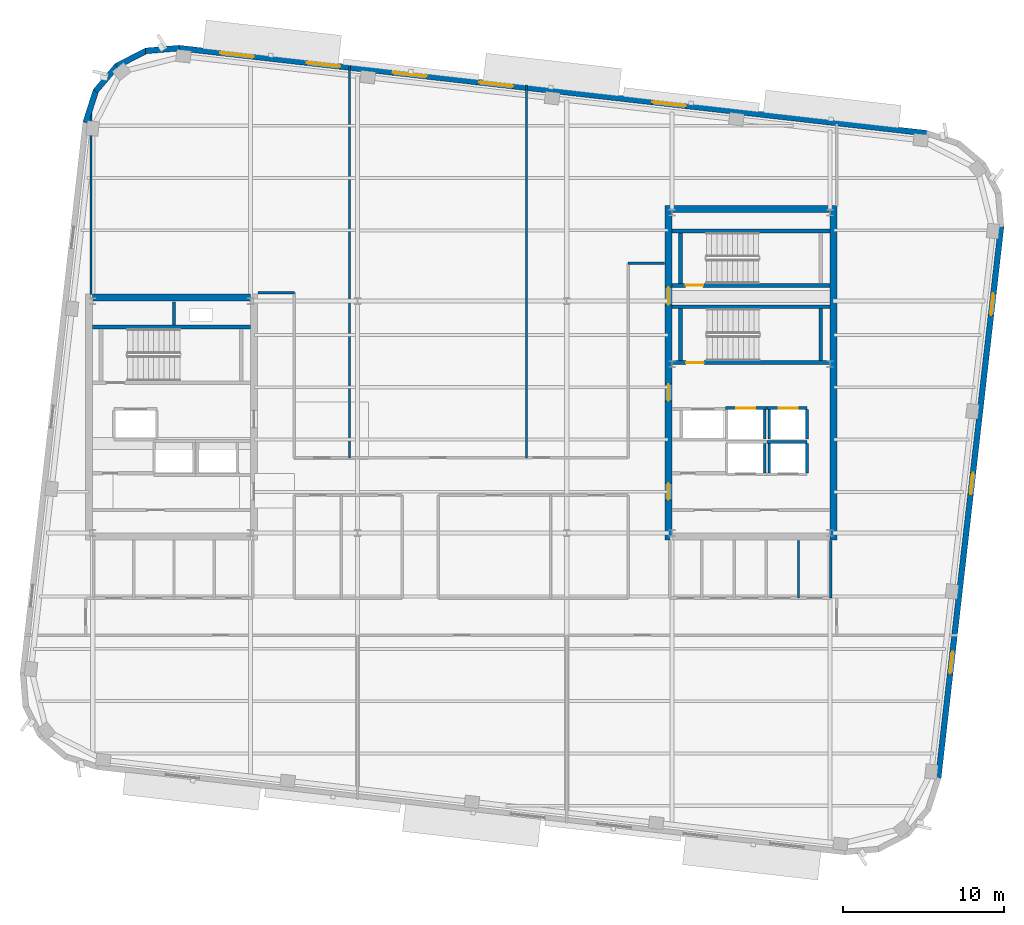
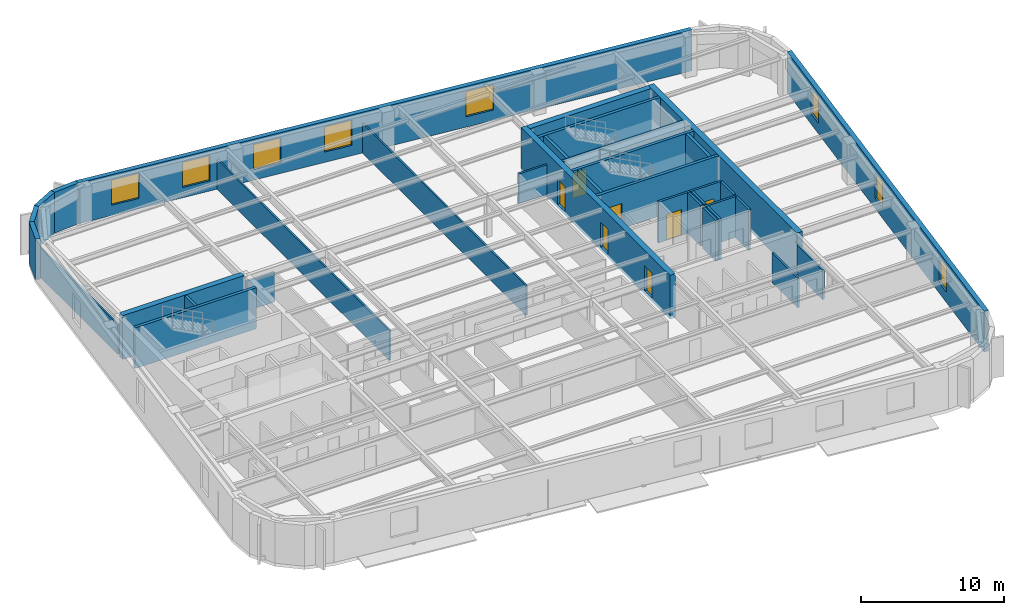
# One storey, part 8 of 14: 35 walls, 8 windows, 7 doors, 15 openings.
"""IFC4 building model written with IfcOpenShell, lengths in metres."""

from ifc_helpers import new_model, si_unit, direction, frame, frame_2d, origin, place, context, subcontext, project, spatial, rectangle, extrude, material, layer, layer_set, type_object, element, fill, save


model = new_model("IFC4")

# Units and contexts
model_context = context("Model", 3, precision=1e-05, world=origin(), true_north=direction((0.0, 1.0)))
body_context = subcontext(model_context, "Body", "Model", "MODEL_VIEW")
ifc_project = project(units=[si_unit("LENGTHUNIT", "METRE"), si_unit("AREAUNIT", "SQUARE_METRE"), si_unit("VOLUMEUNIT", "CUBIC_METRE"), si_unit("PLANEANGLEUNIT", "RADIAN"), si_unit("MASSUNIT", "GRAM", prefix="KILO")], contexts=[model_context])

# Site, building, storey
site_placement = place(None, origin())
site = spatial("IfcSite", under=ifc_project, at=site_placement, CompositionType="ELEMENT")
building_placement = place(site_placement, origin())
building = spatial("IfcBuilding", under=site, at=building_placement, Name="Kolvaren Arena Tower", CompositionType="ELEMENT")
storey_placement = place(building_placement, frame((0.0, 0.0, 258.449951171875)))
storey = spatial("IfcBuildingStorey", under=building, at=storey_placement, Name="L63", CompositionType="ELEMENT", Elevation=258.449951171875)

# Walls
ifc_material_1 = material(Name="Gypsum board acoustic assembly", Category="gypsum")
ifc_layer_1 = layer(ifc_material_1, 0.159912109375)
ifc_layer_set_1 = layer_set([ifc_layer_1], Name="Gypsum board acoustic assembly")
wall_type_1 = type_object("IfcWallType", Name="CORR-160", PredefinedType="PARTITIONING", material=ifc_layer_set_1)
for number, where, z_axis, x_axis, name in (
    (1, (24.820068359375, 34.3798828125, 0.0), (0.0, 0.0, 1.0), (1.0, 0.0, 0.0), "Interior Partition Wall (L63)"),
    (2, (47.820068359375, 36.199951171875, 0.0), (0.0, 0.0, 1.0), (1.0, 0.0, 0.0), "Interior Partition Wall (L63)"),
):
    element("IfcWall", number, at=place(storey_placement, frame(where, z_axis=z_axis, x_axis=x_axis)), inside=storey, type_object=wall_type_1, Name=name, PredefinedType="PARTITIONING", context=body_context, shape_type="SweptSolid", body=[
        extrude(rectangle(XDim=2.260009765625, YDim=0.159912109375, at=frame_2d((1.1298828125, 0.0))), origin(), (0.0, 0.0, 1.0), 2.5400390625),
    ])
ifc_material_2 = material(Name="Concrete 55 MPa", Category="concrete")
ifc_layer_2 = layer(ifc_material_2, 0.449951171875)
ifc_layer_set_2 = layer_set([ifc_layer_2], Name="Concrete 55 MPa")
wall_type_2 = type_object("IfcWallType", Name="CWALL-450", PredefinedType="SHEAR", material=ifc_layer_set_2)
wall_1_placement = place(storey_placement, frame((14.550048828125, 34.074951171875, -0.27001953125), z_axis=(0.0, 0.0, 1.0), x_axis=(1.0, 0.0, 0.0)))
element("IfcWall", 3, at=wall_1_placement, inside=storey, type_object=wall_type_2, Name="Core Shear Wall WC-NORTH (L63)", PredefinedType="SHEAR", context=body_context, shape_type="SweptSolid", body=[
    extrude(rectangle(XDim=9.800048828125, YDim=0.449951171875, at=frame_2d((4.89990234375, 0.0))), origin(), (0.0, 0.0, 1.0), 3.75),
])

# Wall, openings, doors
wall_2_placement = place(storey_placement, frame((50.324951171875, 19.0, -0.27001953125), z_axis=(0.0, 0.0, 1.0), x_axis=(0.0, 1.0, 0.0)))
wall_2 = element("IfcWall", 4, at=wall_2_placement, inside=storey, type_object=wall_type_2, Name="Core Shear Wall EC-WEST (L63)", PredefinedType="SHEAR", context=body_context, shape_type="SweptSolid", body=[
    extrude(rectangle(XDim=20.800048828125, YDim=0.449951171875, at=frame_2d((10.39990234375, 0.0))), origin(), (0.0, 0.0, 1.0), 3.75),
])
opening_1_placement = place(wall_2_placement, frame((2.5, 0.0, 0.27001953125)))
opening_1 = element("IfcOpeningElement", 5, at=opening_1_placement, cuts=wall_2, Name="Opening D04", PredefinedType="OPENING", context=body_context, shape_type="SweptSolid", body=[
    extrude(rectangle(XDim=1.050048828125, YDim=2.14990234375, at=frame_2d((0.52490234375, 1.074951171875))), frame((0.0, 0.23486328125, 0.0), z_axis=(0.0, -1.0, 0.0), x_axis=(1.0, 0.0, 0.0)), (0.0, 0.0, 1.0), 0.469970703125),
])
opening_2_placement = place(wall_2_placement, frame((8.64990234375, 0.0, 0.27001953125)))
opening_2 = element("IfcOpeningElement", 6, at=opening_2_placement, cuts=wall_2, Name="Opening D04", PredefinedType="OPENING", context=body_context, shape_type="SweptSolid", body=[
    extrude(rectangle(XDim=1.050048828125, YDim=2.14990234375, at=frame_2d((0.52490234375, 1.074951171875))), frame((0.0, 0.23486328125, 0.0), z_axis=(0.0, -1.0, 0.0), x_axis=(1.0, 0.0, 0.0)), (0.0, 0.0, 1.0), 0.469970703125),
])
opening_3_placement = place(wall_2_placement, frame((14.6201171875, 0.0, 0.27001953125)))
opening_3 = element("IfcOpeningElement", 7, at=opening_3_placement, cuts=wall_2, Name="Opening D03", PredefinedType="OPENING", context=body_context, shape_type="SweptSolid", body=[
    extrude(rectangle(XDim=1.10009765625, YDim=2.14990234375, at=frame_2d((0.550048828125, 1.074951171875))), frame((0.0, 0.23486328125, 0.0), z_axis=(0.0, -1.0, 0.0), x_axis=(1.0, 0.0, 0.0)), (0.0, 0.0, 1.0), 0.469970703125),
])
ifc_material_3 = material(Name="Fire-rated steel lobby door", Category="steel")
door_type_1 = type_object("IfcDoorType", Name="DOOR-FF-105", OperationType="NOTDEFINED", PredefinedType="DOOR", material=ifc_material_3)
door_1_placement = place(opening_1_placement, origin())
door_1 = element("IfcDoor", 8, at=door_1_placement, inside=storey, type_object=door_type_1, Name="East Lift Lobby Fire Door (L63)", OperationType="SINGLE_SWING_RIGHT", OverallHeight=2.14990234375, OverallWidth=1.050048828125, PredefinedType="DOOR", context=body_context, shape_type="SweptSolid", body=[
    extrude(rectangle(XDim=1.050048828125, YDim=2.14990234375, at=frame_2d((0.52490234375, 1.074951171875))), frame((0.0, 0.02490234375, 0.0), z_axis=(0.0, -1.0, 0.0), x_axis=(1.0, 0.0, 0.0)), (0.0, 0.0, 1.0), 0.050048828125),
])
fill(opening_1, door_1)
door_2_placement = place(opening_2_placement, origin())
door_2 = element("IfcDoor", 9, at=door_2_placement, inside=storey, type_object=door_type_1, Name="East Firefighter Vestibule Door (L63)", OperationType="SINGLE_SWING_LEFT", OverallHeight=2.14990234375, OverallWidth=1.050048828125, PredefinedType="DOOR", context=body_context, shape_type="SweptSolid", body=[
    extrude(rectangle(XDim=1.050048828125, YDim=2.14990234375, at=frame_2d((0.52490234375, 1.074951171875))), frame((0.0, 0.02490234375, 0.0), z_axis=(0.0, -1.0, 0.0), x_axis=(1.0, 0.0, 0.0)), (0.0, 0.0, 1.0), 0.050048828125),
])
fill(opening_2, door_2)
ifc_material_4 = material(Name="Fire-rated steel exit stair door", Category="steel")
door_type_2 = type_object("IfcDoorType", Name="DOOR-ST-110", OperationType="NOTDEFINED", PredefinedType="DOOR", material=ifc_material_4)
door_3_placement = place(opening_3_placement, origin())
door_3 = element("IfcDoor", 10, at=door_3_placement, inside=storey, type_object=door_type_2, Name="Stair ST-E2 Vestibule Fire Door (L63)", OperationType="SINGLE_SWING_LEFT", OverallHeight=2.14990234375, OverallWidth=1.10009765625, PredefinedType="DOOR", context=body_context, shape_type="SweptSolid", body=[
    extrude(rectangle(XDim=1.10009765625, YDim=2.14990234375, at=frame_2d((0.550048828125, 1.074951171875))), frame((0.0, 0.02490234375, 0.0), z_axis=(0.0, -1.0, 0.0), x_axis=(1.0, 0.0, 0.0)), (0.0, 0.0, 1.0), 0.050048828125),
])
fill(opening_3, door_3)

# Walls
wall_3_placement = place(storey_placement, frame((60.574951171875, 19.0, -0.27001953125), z_axis=(0.0, 0.0, 1.0), x_axis=(0.0, 1.0, 0.0)))
element("IfcWall", 11, at=wall_3_placement, inside=storey, type_object=wall_type_2, Name="Core Shear Wall EC-EAST (L63)", PredefinedType="SHEAR", context=body_context, shape_type="SweptSolid", body=[
    extrude(rectangle(XDim=20.800048828125, YDim=0.449951171875, at=frame_2d((10.39990234375, 0.0))), origin(), (0.0, 0.0, 1.0), 3.75),
])
wall_4_placement = place(storey_placement, frame((50.550048828125, 39.574951171875, -0.27001953125), z_axis=(0.0, 0.0, 1.0), x_axis=(1.0, 0.0, 0.0)))
element("IfcWall", 12, at=wall_4_placement, inside=storey, type_object=wall_type_2, Name="Core Shear Wall EC-NORTH (L63)", PredefinedType="SHEAR", context=body_context, shape_type="SweptSolid", body=[
    extrude(rectangle(XDim=9.800048828125, YDim=0.449951171875, at=frame_2d((4.89990234375, 0.0))), origin(), (0.0, 0.0, 1.0), 3.75),
])

# Wall, openings, windows
ifc_material_5 = material(Name="Precast concrete C50/60", Category="concrete")
ifc_layer_3 = layer(ifc_material_5, 0.360107421875)
ifc_layer_set_3 = layer_set([ifc_layer_3], Name="Precast concrete C50/60")
wall_type_3 = type_object("IfcWallType", Name="EXT-PIER2", PredefinedType="SOLIDWALL", material=ifc_layer_set_3)
wall_5_placement = place(storey_placement, frame((70.98876953125, 38.499267578125, 0.0), z_axis=(0.0, 0.0, 1.0), x_axis=(-0.113203107947, -0.993571867733, 0.0)))
wall_5 = element("IfcWall", 13, at=wall_5_placement, inside=storey, type_object=wall_type_3, Name="Exterior Precast Masonry-Frame Wall (L63)", PredefinedType="SOLIDWALL", context=body_context, shape_type="SweptSolid", body=[
    extrude(rectangle(XDim=34.5, YDim=0.360107421875, at=frame_2d((17.25, 0.0))), origin(), (0.0, 0.0, 1.0), 3.47998046875),
])
opening_4_placement = place(wall_5_placement, frame((4.199951171875, 0.0, 0.8798828125)))
opening_4 = element("IfcOpeningElement", 14, at=opening_4_placement, cuts=wall_5, Name="Opening W04", PredefinedType="OPENING", context=body_context, shape_type="SweptSolid", body=[
    extrude(rectangle(XDim=1.35009765625, YDim=2.199951171875, at=frame_2d((0.675048828125, 1.10009765625))), frame((0.0, 0.18994140625, 0.0), z_axis=(0.0, -1.0, 0.0), x_axis=(1.0, 0.0, 0.0)), (0.0, 0.0, 1.0), 0.380126953125),
])
opening_5_placement = place(wall_5_placement, frame((15.39990234375, 0.0, 0.8798828125)))
opening_5 = element("IfcOpeningElement", 15, at=opening_5_placement, cuts=wall_5, Name="Opening W04", PredefinedType="OPENING", context=body_context, shape_type="SweptSolid", body=[
    extrude(rectangle(XDim=1.35009765625, YDim=2.199951171875, at=frame_2d((0.675048828125, 1.10009765625))), frame((0.0, 0.18994140625, 0.0), z_axis=(0.0, -1.0, 0.0), x_axis=(1.0, 0.0, 0.0)), (0.0, 0.0, 1.0), 0.380126953125),
])
opening_6_placement = place(wall_5_placement, frame((26.60009765625, 0.0, 0.8798828125)))
opening_6 = element("IfcOpeningElement", 16, at=opening_6_placement, cuts=wall_5, Name="Opening W04", PredefinedType="OPENING", context=body_context, shape_type="SweptSolid", body=[
    extrude(rectangle(XDim=1.35009765625, YDim=2.199951171875, at=frame_2d((0.675048828125, 1.10009765625))), frame((0.0, 0.18994140625, 0.0), z_axis=(0.0, -1.0, 0.0), x_axis=(1.0, 0.0, 0.0)), (0.0, 0.0, 1.0), 0.380126953125),
])
ifc_material_6 = material(Name="Triple-glazed curved-facet corner window", Category="glass")
window_type_1 = type_object("IfcWindowType", Name="WIN-CRN-A", PartitioningType="SINGLE_PANEL", PredefinedType="WINDOW", material=ifc_material_6)
window_1_placement = place(opening_4_placement, origin())
window_1 = element("IfcWindow", 17, at=window_1_placement, inside=storey, type_object=window_type_1, Name="End-Wall Punched Window (L63)", OverallHeight=2.199951171875, OverallWidth=1.35009765625, PartitioningType="SINGLE_PANEL", PredefinedType="WINDOW", context=body_context, shape_type="SweptSolid", body=[
    extrude(rectangle(XDim=1.35009765625, YDim=2.199951171875, at=frame_2d((0.675048828125, 1.10009765625))), frame((0.0, 0.030029296875, 0.0), z_axis=(0.0, -1.0, 0.0), x_axis=(1.0, 0.0, 0.0)), (0.0, 0.0, 1.0), 0.06005859375),
])
fill(opening_4, window_1)
window_2_placement = place(opening_5_placement, origin())
window_2 = element("IfcWindow", 18, at=window_2_placement, inside=storey, type_object=window_type_1, Name="End-Wall Punched Window (L63)", OverallHeight=2.199951171875, OverallWidth=1.35009765625, PartitioningType="SINGLE_PANEL", PredefinedType="WINDOW", context=body_context, shape_type="SweptSolid", body=[
    extrude(rectangle(XDim=1.35009765625, YDim=2.199951171875, at=frame_2d((0.675048828125, 1.10009765625))), frame((0.0, 0.030029296875, 0.0), z_axis=(0.0, -1.0, 0.0), x_axis=(1.0, 0.0, 0.0)), (0.0, 0.0, 1.0), 0.06005859375),
])
fill(opening_5, window_2)
window_3_placement = place(opening_6_placement, origin())
window_3 = element("IfcWindow", 19, at=window_3_placement, inside=storey, type_object=window_type_1, Name="End-Wall Punched Window (L63)", OverallHeight=2.199951171875, OverallWidth=1.35009765625, PartitioningType="SINGLE_PANEL", PredefinedType="WINDOW", context=body_context, shape_type="SweptSolid", body=[
    extrude(rectangle(XDim=1.35009765625, YDim=2.199951171875, at=frame_2d((0.675048828125, 1.10009765625))), frame((0.0, 0.030029296875, 0.0), z_axis=(0.0, -1.0, 0.0), x_axis=(1.0, 0.0, 0.0)), (0.0, 0.0, 1.0), 0.06005859375),
])
fill(opening_6, window_3)

wall_6_placement = place(storey_placement, frame((19.89404296875, 49.57470703125, 0.0), z_axis=(0.0, 0.0, 1.0), x_axis=(0.993571439016, -0.113206870688, 0.0)))
wall_6 = element("IfcWall", 20, at=wall_6_placement, inside=storey, type_object=wall_type_3, Name="Exterior Precast Masonry-Frame Wall (L63)", PredefinedType="SOLIDWALL", context=body_context, shape_type="SweptSolid", body=[
    extrude(rectangle(XDim=46.800048828125, YDim=0.360107421875, at=frame_2d((23.39990234375, 0.0))), origin(), (0.0, 0.0, 1.0), 3.47998046875),
])
opening_7_placement = place(wall_6_placement, frame((2.60009765625, 0.0, 0.8798828125)))
opening_7 = element("IfcOpeningElement", 21, at=opening_7_placement, cuts=wall_6, Name="Opening W01", PredefinedType="OPENING", context=body_context, shape_type="SweptSolid", body=[
    extrude(rectangle(XDim=2.10009765625, YDim=2.14990234375, at=frame_2d((1.050048828125, 1.074951171875))), frame((0.0, 0.18994140625, 0.0), z_axis=(0.0, -1.0, 0.0), x_axis=(1.0, 0.0, 0.0)), (0.0, 0.0, 1.0), 0.380126953125),
])
opening_8_placement = place(wall_6_placement, frame((8.0, 0.0, 0.8798828125)))
opening_8 = element("IfcOpeningElement", 22, at=opening_8_placement, cuts=wall_6, Name="Opening W01", PredefinedType="OPENING", context=body_context, shape_type="SweptSolid", body=[
    extrude(rectangle(XDim=2.10009765625, YDim=2.14990234375, at=frame_2d((1.050048828125, 1.074951171875))), frame((0.0, 0.18994140625, 0.0), z_axis=(0.0, -1.0, 0.0), x_axis=(1.0, 0.0, 0.0)), (0.0, 0.0, 1.0), 0.380126953125),
])
opening_9_placement = place(wall_6_placement, frame((13.39990234375, 0.0, 0.8798828125)))
opening_9 = element("IfcOpeningElement", 23, at=opening_9_placement, cuts=wall_6, Name="Opening W01", PredefinedType="OPENING", context=body_context, shape_type="SweptSolid", body=[
    extrude(rectangle(XDim=2.10009765625, YDim=2.14990234375, at=frame_2d((1.050048828125, 1.074951171875))), frame((0.0, 0.18994140625, 0.0), z_axis=(0.0, -1.0, 0.0), x_axis=(1.0, 0.0, 0.0)), (0.0, 0.0, 1.0), 0.380126953125),
])
opening_10_placement = place(wall_6_placement, frame((18.800048828125, 0.0, 0.8798828125)))
opening_10 = element("IfcOpeningElement", 24, at=opening_10_placement, cuts=wall_6, Name="Opening W01", PredefinedType="OPENING", context=body_context, shape_type="SweptSolid", body=[
    extrude(rectangle(XDim=2.10009765625, YDim=2.14990234375, at=frame_2d((1.050048828125, 1.074951171875))), frame((0.0, 0.18994140625, 0.0), z_axis=(0.0, -1.0, 0.0), x_axis=(1.0, 0.0, 0.0)), (0.0, 0.0, 1.0), 0.380126953125),
])
opening_11_placement = place(wall_6_placement, frame((29.60009765625, 0.0, 0.8798828125)))
opening_11 = element("IfcOpeningElement", 25, at=opening_11_placement, cuts=wall_6, Name="Opening W01", PredefinedType="OPENING", context=body_context, shape_type="SweptSolid", body=[
    extrude(rectangle(XDim=2.10009765625, YDim=2.14990234375, at=frame_2d((1.050048828125, 1.074951171875))), frame((0.0, 0.18994140625, 0.0), z_axis=(0.0, -1.0, 0.0), x_axis=(1.0, 0.0, 0.0)), (0.0, 0.0, 1.0), 0.380126953125),
])
ifc_material_7 = material(Name="Triple-glazed low-E aluminium window", Category="aluminium")
window_type_2 = type_object("IfcWindowType", Name="WIN-OFF-A", PartitioningType="DOUBLE_PANEL_VERTICAL", PredefinedType="WINDOW", material=ifc_material_7)
window_4_placement = place(opening_7_placement, origin())
window_4 = element("IfcWindow", 26, at=window_4_placement, inside=storey, type_object=window_type_2, Name="Punched Precast-Pier Window (L63)", OverallHeight=2.14990234375, OverallWidth=2.10009765625, PartitioningType="DOUBLE_PANEL_VERTICAL", PredefinedType="WINDOW", context=body_context, shape_type="SweptSolid", body=[
    extrude(rectangle(XDim=2.10009765625, YDim=2.14990234375, at=frame_2d((1.050048828125, 1.074951171875))), frame((0.0, 0.030029296875, 0.0), z_axis=(0.0, -1.0, 0.0), x_axis=(1.0, 0.0, 0.0)), (0.0, 0.0, 1.0), 0.06005859375),
])
fill(opening_7, window_4)
window_5_placement = place(opening_8_placement, origin())
window_5 = element("IfcWindow", 27, at=window_5_placement, inside=storey, type_object=window_type_2, Name="Punched Precast-Pier Window (L63)", OverallHeight=2.14990234375, OverallWidth=2.10009765625, PartitioningType="DOUBLE_PANEL_VERTICAL", PredefinedType="WINDOW", context=body_context, shape_type="SweptSolid", body=[
    extrude(rectangle(XDim=2.10009765625, YDim=2.14990234375, at=frame_2d((1.050048828125, 1.074951171875))), frame((0.0, 0.030029296875, 0.0), z_axis=(0.0, -1.0, 0.0), x_axis=(1.0, 0.0, 0.0)), (0.0, 0.0, 1.0), 0.06005859375),
])
fill(opening_8, window_5)
window_6_placement = place(opening_9_placement, origin())
window_6 = element("IfcWindow", 28, at=window_6_placement, inside=storey, type_object=window_type_2, Name="Punched Precast-Pier Window (L63)", OverallHeight=2.14990234375, OverallWidth=2.10009765625, PartitioningType="DOUBLE_PANEL_VERTICAL", PredefinedType="WINDOW", context=body_context, shape_type="SweptSolid", body=[
    extrude(rectangle(XDim=2.10009765625, YDim=2.14990234375, at=frame_2d((1.050048828125, 1.074951171875))), frame((0.0, 0.030029296875, 0.0), z_axis=(0.0, -1.0, 0.0), x_axis=(1.0, 0.0, 0.0)), (0.0, 0.0, 1.0), 0.06005859375),
])
fill(opening_9, window_6)
window_7_placement = place(opening_10_placement, origin())
window_7 = element("IfcWindow", 29, at=window_7_placement, inside=storey, type_object=window_type_2, Name="Punched Precast-Pier Window (L63)", OverallHeight=2.14990234375, OverallWidth=2.10009765625, PartitioningType="DOUBLE_PANEL_VERTICAL", PredefinedType="WINDOW", context=body_context, shape_type="SweptSolid", body=[
    extrude(rectangle(XDim=2.10009765625, YDim=2.14990234375, at=frame_2d((1.050048828125, 1.074951171875))), frame((0.0, 0.030029296875, 0.0), z_axis=(0.0, -1.0, 0.0), x_axis=(1.0, 0.0, 0.0)), (0.0, 0.0, 1.0), 0.06005859375),
])
fill(opening_10, window_7)
window_8_placement = place(opening_11_placement, origin())
window_8 = element("IfcWindow", 30, at=window_8_placement, inside=storey, type_object=window_type_2, Name="Punched Precast-Pier Window (L63)", OverallHeight=2.14990234375, OverallWidth=2.10009765625, PartitioningType="DOUBLE_PANEL_VERTICAL", PredefinedType="WINDOW", context=body_context, shape_type="SweptSolid", body=[
    extrude(rectangle(XDim=2.10009765625, YDim=2.14990234375, at=frame_2d((1.050048828125, 1.074951171875))), frame((0.0, 0.030029296875, 0.0), z_axis=(0.0, -1.0, 0.0), x_axis=(1.0, 0.0, 0.0)), (0.0, 0.0, 1.0), 0.06005859375),
])
fill(opening_11, window_8)

# Walls
for number, where, z_axis, x_axis, name in (
    (31, (17.82958984375, 49.3994140625, 0.0), (0.0, 0.0, 1.0), (0.996562518477, 0.082844111233, 0.0), "Exterior Precast Masonry-Frame Wall (L63)"),
    (32, (16.02392578125, 48.4541015625, 0.0), (0.0, 0.0, 1.0), (0.889010287693, 0.457887222333, 0.0), "Exterior Precast Masonry-Frame Wall (L63)"),
    (33, (14.717529296875, 46.8896484375, 0.0), (0.0, 0.0, 1.0), (0.646170743289, 0.763192878975, 0.0), "Exterior Precast Masonry-Frame Wall (L63)"),
):
    element("IfcWall", number, at=place(storey_placement, frame(where, z_axis=z_axis, x_axis=x_axis)), inside=storey, type_object=wall_type_3, Name=name, PredefinedType="SOLIDWALL", context=body_context, shape_type="SweptSolid", body=[
        extrude(rectangle(XDim=2.107177734375, YDim=0.360107421875, at=frame_2d((1.0537109375, 0.0))), origin(), (0.0, 0.0, 1.0), 3.47998046875),
    ])
wall_7_placement = place(storey_placement, frame((14.109375, 44.944580078125, 0.0), z_axis=(0.0, 0.0, 1.0), x_axis=(0.304872429864, 0.952393196904, 0.0)))
element("IfcWall", 34, at=wall_7_placement, inside=storey, type_object=wall_type_3, Name="Exterior Precast Masonry-Frame Wall (L63)", PredefinedType="SOLIDWALL", context=body_context, shape_type="SweptSolid", body=[
    extrude(rectangle(XDim=2.10693359375, YDim=0.360107421875, at=frame_2d((1.053466796875, 0.0))), origin(), (0.0, 0.0, 1.0), 3.47998046875),
])
ifc_material_8 = material(Name="Gypsum board partition assembly", Category="gypsum")
ifc_layer_4 = layer(ifc_material_8, 0.135009765625)
ifc_layer_set_4 = layer_set([ifc_layer_4], Name="Gypsum board partition assembly")
wall_type_4 = type_object("IfcWallType", Name="PART-135", PredefinedType="PARTITIONING", material=ifc_layer_set_4)
wall_8_placement = place(storey_placement, frame((30.5, 24.1201171875, 0.0), z_axis=(0.0, 0.0, 1.0), x_axis=(0.0, 1.0, 0.0)))
element("IfcWall", 35, at=wall_8_placement, inside=storey, type_object=wall_type_4, Name="Interior Partition Wall (L63)", PredefinedType="PARTITIONING", context=body_context, shape_type="SweptSolid", body=[
    extrude(rectangle(XDim=24.42724609375, YDim=0.135009765625, at=frame_2d((12.213623046875, 0.0))), origin(), (0.0, 0.0, 1.0), 2.5400390625),
])
wall_9_placement = place(storey_placement, frame((41.5, 24.1201171875, 0.0), z_axis=(0.0, 0.0, 1.0), x_axis=(0.0, 1.0, 0.0)))
element("IfcWall", 36, at=wall_9_placement, inside=storey, type_object=wall_type_4, Name="Interior Partition Wall (L63)", PredefinedType="PARTITIONING", context=body_context, shape_type="SweptSolid", body=[
    extrude(rectangle(XDim=23.173828125, YDim=0.135009765625, at=frame_2d((11.5869140625, 0.0))), origin(), (0.0, 0.0, 1.0), 2.5400390625),
])
wall_10_placement = place(storey_placement, frame((14.449951171875, 34.25, 0.0), z_axis=(0.0, 0.0, 1.0), x_axis=(0.0, 1.0, 0.0)))
element("IfcWall", 37, at=wall_10_placement, inside=storey, type_object=wall_type_4, Name="Interior Partition Wall (L63)", PredefinedType="PARTITIONING", context=body_context, shape_type="SweptSolid", body=[
    extrude(rectangle(XDim=11.56201171875, YDim=0.135009765625, at=frame_2d((5.781005859375, 0.0))), origin(), (0.0, 0.0, 1.0), 2.5400390625),
])
ifc_material_9 = material(Name="Concrete 45 MPa", Category="concrete")
ifc_layer_5 = layer(ifc_material_9, 0.25)
ifc_layer_set_5 = layer_set([ifc_layer_5], Name="Concrete 45 MPa")
wall_type_5 = type_object("IfcWallType", Name="SHAFT-250", PredefinedType="SOLIDWALL", material=ifc_layer_set_5)
wall_11_placement = place(storey_placement, frame((14.550048828125, 32.25, 0.0), z_axis=(0.0, 0.0, 1.0), x_axis=(1.0, 0.0, 0.0)))
element("IfcWall", 38, at=wall_11_placement, inside=storey, type_object=wall_type_5, Name="Core Shaft Wall (L63)", PredefinedType="SOLIDWALL", context=body_context, shape_type="SweptSolid", body=[
    extrude(rectangle(XDim=9.800048828125, YDim=0.239990234375, at=frame_2d((4.89990234375, 0.0))), origin(), (0.0, 0.0, 1.0), 3.47998046875),
])

# Wall, opening, door
wall_12_placement = place(storey_placement, frame((60.35009765625, 30.030029296875, 0.0), z_axis=(0.0, 0.0, 1.0), x_axis=(-1.0, 0.0, 0.0)))
wall_12 = element("IfcWall", 39, at=wall_12_placement, inside=storey, type_object=wall_type_5, Name="Core Shaft Wall (L63)", PredefinedType="SOLIDWALL", context=body_context, shape_type="SweptSolid", body=[
    extrude(rectangle(XDim=9.800048828125, YDim=0.239990234375, at=frame_2d((4.89990234375, 0.0))), origin(), (0.0, 0.0, 1.0), 3.47998046875),
])
opening_12_placement = place(wall_12_placement, frame((7.830078125, 0.0, 0.0)))
opening_12 = element("IfcOpeningElement", 40, at=opening_12_placement, cuts=wall_12, Name="Opening D03", PredefinedType="OPENING", context=body_context, shape_type="SweptSolid", body=[
    extrude(rectangle(XDim=1.10009765625, YDim=2.14990234375, at=frame_2d((0.550048828125, 1.074951171875))), frame((0.0, 0.1298828125, 0.0), z_axis=(0.0, -1.0, 0.0), x_axis=(1.0, 0.0, 0.0)), (0.0, 0.0, 1.0), 0.260009765625),
])
door_4_placement = place(opening_12_placement, origin())
door_4 = element("IfcDoor", 41, at=door_4_placement, inside=storey, type_object=door_type_2, Name="Stair ST-E1 Fire Door (L63)", OperationType="SINGLE_SWING_LEFT", OverallHeight=2.14990234375, OverallWidth=1.10009765625, PredefinedType="DOOR", context=body_context, shape_type="SweptSolid", body=[
    extrude(rectangle(XDim=1.10009765625, YDim=2.14990234375, at=frame_2d((0.550048828125, 1.074951171875))), frame((0.0, 0.02490234375, 0.0), z_axis=(0.0, -1.0, 0.0), x_axis=(1.0, 0.0, 0.0)), (0.0, 0.0, 1.0), 0.050048828125),
])
fill(opening_12, door_4)

# Walls
wall_13_placement = place(storey_placement, frame((50.550048828125, 33.5, 0.0), z_axis=(0.0, 0.0, 1.0), x_axis=(1.0, 0.0, 0.0)))
element("IfcWall", 42, at=wall_13_placement, inside=storey, type_object=wall_type_5, Name="Core Shaft Wall (L63)", PredefinedType="SOLIDWALL", context=body_context, shape_type="SweptSolid", body=[
    extrude(rectangle(XDim=9.800048828125, YDim=0.239990234375, at=frame_2d((4.89990234375, 0.0))), origin(), (0.0, 0.0, 1.0), 3.47998046875),
])
for number, where, z_axis, x_axis, name in (
    (43, (51.06005859375, 30.14990234375, 0.0), (0.0, 0.0, 1.0), (0.0, 1.0, 0.0), "Core Shaft Wall (L63)"),
    (44, (59.780029296875, 30.14990234375, 0.0), (0.0, 0.0, 1.0), (0.0, 1.0, 0.0), "Core Shaft Wall (L63)"),
):
    element("IfcWall", number, at=place(storey_placement, frame(where, z_axis=z_axis, x_axis=x_axis)), inside=storey, type_object=wall_type_5, Name=name, PredefinedType="SOLIDWALL", context=body_context, shape_type="SweptSolid", body=[
        extrude(rectangle(XDim=3.22998046875, YDim=0.239990234375, at=frame_2d((1.614990234375, 0.0))), origin(), (0.0, 0.0, 1.0), 3.47998046875),
    ])

# Wall, opening, door
wall_14_placement = place(storey_placement, frame((60.35009765625, 34.830078125, 0.0), z_axis=(0.0, 0.0, 1.0), x_axis=(-1.0, 0.0, 0.0)))
wall_14 = element("IfcWall", 45, at=wall_14_placement, inside=storey, type_object=wall_type_5, Name="Core Shaft Wall (L63)", PredefinedType="SOLIDWALL", context=body_context, shape_type="SweptSolid", body=[
    extrude(rectangle(XDim=9.800048828125, YDim=0.239990234375, at=frame_2d((4.89990234375, 0.0))), origin(), (0.0, 0.0, 1.0), 3.47998046875),
])
opening_13_placement = place(wall_14_placement, frame((7.8701171875, 0.0, 0.0)))
opening_13 = element("IfcOpeningElement", 46, at=opening_13_placement, cuts=wall_14, Name="Opening D03", PredefinedType="OPENING", context=body_context, shape_type="SweptSolid", body=[
    extrude(rectangle(XDim=1.10009765625, YDim=2.14990234375, at=frame_2d((0.550048828125, 1.074951171875))), frame((0.0, 0.1298828125, 0.0), z_axis=(0.0, -1.0, 0.0), x_axis=(1.0, 0.0, 0.0)), (0.0, 0.0, 1.0), 0.260009765625),
])
door_5_placement = place(opening_13_placement, origin())
door_5 = element("IfcDoor", 47, at=door_5_placement, inside=storey, type_object=door_type_2, Name="Stair ST-E2 Fire Door (L63)", OperationType="SINGLE_SWING_LEFT", OverallHeight=2.14990234375, OverallWidth=1.10009765625, PredefinedType="DOOR", context=body_context, shape_type="SweptSolid", body=[
    extrude(rectangle(XDim=1.10009765625, YDim=2.14990234375, at=frame_2d((0.550048828125, 1.074951171875))), frame((0.0, 0.02490234375, 0.0), z_axis=(0.0, -1.0, 0.0), x_axis=(1.0, 0.0, 0.0)), (0.0, 0.0, 1.0), 0.050048828125),
])
fill(opening_13, door_5)

# Walls
wall_15_placement = place(storey_placement, frame((50.550048828125, 38.219970703125, 0.0), z_axis=(0.0, 0.0, 1.0), x_axis=(1.0, 0.0, 0.0)))
element("IfcWall", 48, at=wall_15_placement, inside=storey, type_object=wall_type_5, Name="Core Shaft Wall (L63)", PredefinedType="SOLIDWALL", context=body_context, shape_type="SweptSolid", body=[
    extrude(rectangle(XDim=9.800048828125, YDim=0.239990234375, at=frame_2d((4.89990234375, 0.0))), origin(), (0.0, 0.0, 1.0), 3.47998046875),
])
wall_16_placement = place(storey_placement, frame((51.06005859375, 34.949951171875, 0.0), z_axis=(0.0, 0.0, 1.0), x_axis=(0.0, 1.0, 0.0)))
element("IfcWall", 49, at=wall_16_placement, inside=storey, type_object=wall_type_5, Name="Core Shaft Wall (L63)", PredefinedType="SOLIDWALL", context=body_context, shape_type="SweptSolid", body=[
    extrude(rectangle(XDim=3.150146484375, YDim=0.239990234375, at=frame_2d((1.5751953125, 0.0))), origin(), (0.0, 0.0, 1.0), 3.47998046875),
])
wall_17_placement = place(storey_placement, frame((19.60009765625, 32.3701171875, 0.0), z_axis=(0.0, 0.0, 1.0), x_axis=(0.0, 1.0, 0.0)))
element("IfcWall", 50, at=wall_17_placement, inside=storey, type_object=wall_type_5, Name="Core Shaft Wall (L63)", PredefinedType="SOLIDWALL", context=body_context, shape_type="SweptSolid", body=[
    extrude(rectangle(XDim=1.429931640625, YDim=0.199951171875, at=frame_2d((0.71484375, 0.0))), origin(), (0.0, 0.0, 1.0), 3.47998046875),
])
wall_18_placement = place(storey_placement, frame((56.300048828125, 23.18505859375, 0.0), z_axis=(0.0, 0.0, 1.0), x_axis=(0.0, 1.0, 0.0)))
element("IfcWall", 51, at=wall_18_placement, inside=storey, type_object=wall_type_5, Name="Core Shaft Wall (L63)", PredefinedType="SOLIDWALL", context=body_context, shape_type="SweptSolid", body=[
    extrude(rectangle(XDim=1.829833984375, YDim=0.179931640625, at=frame_2d((0.9150390625, 0.0))), origin(), (0.0, 0.0, 1.0), 3.47998046875),
])
wall_19_placement = place(storey_placement, frame((56.43994140625, 25.10498046875, 0.0), z_axis=(0.0, 0.0, 1.0), x_axis=(1.0, 0.0, 0.0)))
element("IfcWall", 52, at=wall_19_placement, inside=storey, type_object=wall_type_5, Name="Core Shaft Wall (L63)", PredefinedType="SOLIDWALL", context=body_context, shape_type="SweptSolid", body=[
    extrude(rectangle(XDim=2.5, YDim=0.179931640625, at=frame_2d((1.25, 0.0))), origin(), (0.0, 0.0, 1.0), 3.47998046875),
])
for number, where, z_axis, x_axis, name in (
    (53, (56.580078125, 23.18505859375, 0.0), (0.0, 0.0, 1.0), (0.0, 1.0, 0.0), "Core Shaft Wall (L63)"),
    (54, (58.93994140625, 23.18505859375, 0.0), (0.0, 0.0, 1.0), (0.0, 1.0, 0.0), "Core Shaft Wall (L63)"),
):
    element("IfcWall", number, at=place(storey_placement, frame(where, z_axis=z_axis, x_axis=x_axis)), inside=storey, type_object=wall_type_5, Name=name, PredefinedType="SOLIDWALL", context=body_context, shape_type="SweptSolid", body=[
        extrude(rectangle(XDim=1.829833984375, YDim=0.179931640625, at=frame_2d((0.9150390625, 0.0))), origin(), (0.0, 0.0, 1.0), 3.47998046875),
    ])

# Wall, opening, door
wall_20_placement = place(storey_placement, frame((53.864990234375, 27.205078125, 0.0), z_axis=(0.0, 0.0, 1.0), x_axis=(1.0, 0.0, 0.0)))
wall_20 = element("IfcWall", 55, at=wall_20_placement, inside=storey, type_object=wall_type_5, Name="Core Shaft Wall (L63)", PredefinedType="SOLIDWALL", context=body_context, shape_type="SweptSolid", body=[
    extrude(rectangle(XDim=2.574951171875, YDim=0.179931640625, at=frame_2d((1.28759765625, 0.0))), origin(), (0.0, 0.0, 1.0), 3.47998046875),
])
opening_14_placement = place(wall_20_placement, frame((0.655029296875, 0.0, 0.0)))
opening_14 = element("IfcOpeningElement", 56, at=opening_14_placement, cuts=wall_20, Name="Opening LD1", PredefinedType="OPENING", context=body_context, shape_type="SweptSolid", body=[
    extrude(rectangle(XDim=1.199951171875, YDim=2.199951171875, at=frame_2d((0.60009765625, 1.10009765625))), frame((0.0, 0.099853515625, 0.0), z_axis=(0.0, -1.0, 0.0), x_axis=(1.0, 0.0, 0.0)), (0.0, 0.0, 1.0), 0.199951171875),
])
ifc_material_10 = material(Name="Stainless steel passenger lift landing door", Category="steel")
door_type_3 = type_object("IfcDoorType", Name="DOOR-LD-120", OperationType="DOUBLE_DOOR_SLIDING", PredefinedType="DOOR", material=ifc_material_10)
door_6_placement = place(opening_14_placement, origin())
door_6 = element("IfcDoor", 57, at=door_6_placement, inside=storey, type_object=door_type_3, Name="Lift EL-HR3 Landing Door (L63)", OperationType="DOUBLE_DOOR_SLIDING", OverallHeight=2.199951171875, OverallWidth=1.199951171875, PredefinedType="DOOR", context=body_context, shape_type="SweptSolid", body=[
    extrude(rectangle(XDim=1.199951171875, YDim=2.199951171875, at=frame_2d((0.60009765625, 1.10009765625))), frame((0.0, 0.02490234375, 0.0), z_axis=(0.0, -1.0, 0.0), x_axis=(1.0, 0.0, 0.0)), (0.0, 0.0, 1.0), 0.050048828125),
])
fill(opening_14, door_6)

# Wall
wall_21_placement = place(storey_placement, frame((56.300048828125, 25.284912109375, 0.0), z_axis=(0.0, 0.0, 1.0), x_axis=(0.0, 1.0, 0.0)))
element("IfcWall", 58, at=wall_21_placement, inside=storey, type_object=wall_type_5, Name="Core Shaft Wall (L63)", PredefinedType="SOLIDWALL", context=body_context, shape_type="SweptSolid", body=[
    extrude(rectangle(XDim=1.830078125, YDim=0.179931640625, at=frame_2d((0.9150390625, 0.0))), origin(), (0.0, 0.0, 1.0), 3.47998046875),
])

# Wall, opening, door
wall_22_placement = place(storey_placement, frame((56.43994140625, 27.205078125, 0.0), z_axis=(0.0, 0.0, 1.0), x_axis=(1.0, 0.0, 0.0)))
wall_22 = element("IfcWall", 59, at=wall_22_placement, inside=storey, type_object=wall_type_5, Name="Core Shaft Wall (L63)", PredefinedType="SOLIDWALL", context=body_context, shape_type="SweptSolid", body=[
    extrude(rectangle(XDim=2.5, YDim=0.179931640625, at=frame_2d((1.25, 0.0))), origin(), (0.0, 0.0, 1.0), 3.47998046875),
])
opening_15_placement = place(wall_22_placement, frame((0.719970703125, 0.0, 0.0)))
opening_15 = element("IfcOpeningElement", 60, at=opening_15_placement, cuts=wall_22, Name="Opening LD1", PredefinedType="OPENING", context=body_context, shape_type="SweptSolid", body=[
    extrude(rectangle(XDim=1.199951171875, YDim=2.199951171875, at=frame_2d((0.60009765625, 1.10009765625))), frame((0.0, 0.099853515625, 0.0), z_axis=(0.0, -1.0, 0.0), x_axis=(1.0, 0.0, 0.0)), (0.0, 0.0, 1.0), 0.199951171875),
])
door_7_placement = place(opening_15_placement, origin())
door_7 = element("IfcDoor", 61, at=door_7_placement, inside=storey, type_object=door_type_3, Name="Lift EL-HR4 Landing Door (L63)", OperationType="DOUBLE_DOOR_SLIDING", OverallHeight=2.199951171875, OverallWidth=1.199951171875, PredefinedType="DOOR", context=body_context, shape_type="SweptSolid", body=[
    extrude(rectangle(XDim=1.199951171875, YDim=2.199951171875, at=frame_2d((0.60009765625, 1.10009765625))), frame((0.0, 0.02490234375, 0.0), z_axis=(0.0, -1.0, 0.0), x_axis=(1.0, 0.0, 0.0)), (0.0, 0.0, 1.0), 0.050048828125),
])
fill(opening_15, door_7)

# Walls
for number, where, z_axis, x_axis, name in (
    (62, (56.580078125, 25.284912109375, 0.0), (0.0, 0.0, 1.0), (0.0, 1.0, 0.0), "Core Shaft Wall (L63)"),
    (63, (58.93994140625, 25.284912109375, 0.0), (0.0, 0.0, 1.0), (0.0, 1.0, 0.0), "Core Shaft Wall (L63)"),
):
    element("IfcWall", number, at=place(storey_placement, frame(where, z_axis=z_axis, x_axis=x_axis)), inside=storey, type_object=wall_type_5, Name=name, PredefinedType="SOLIDWALL", context=body_context, shape_type="SweptSolid", body=[
        extrude(rectangle(XDim=1.830078125, YDim=0.179931640625, at=frame_2d((0.9150390625, 0.0))), origin(), (0.0, 0.0, 1.0), 3.47998046875),
    ])
ifc_material_11 = material(Name="Moisture-resistant gypsum assembly", Category="gypsum")
ifc_layer_6 = layer(ifc_material_11, 0.14990234375)
ifc_layer_set_6 = layer_set([ifc_layer_6], Name="Moisture-resistant gypsum assembly")
wall_type_6 = type_object("IfcWallType", Name="WETW-150", PredefinedType="PARTITIONING", material=ifc_layer_set_6)
for number, where, z_axis, x_axis, name in (
    (64, (58.39990234375, 15.39990234375, 0.0), (0.0, 0.0, 1.0), (0.0, 1.0, 0.0), "Interior Partition Wall (L63)"),
    (65, (60.39990234375, 15.39990234375, 0.0), (0.0, 0.0, 1.0), (0.0, 1.0, 0.0), "Interior Partition Wall (L63)"),
):
    element("IfcWall", number, at=place(storey_placement, frame(where, z_axis=z_axis, x_axis=x_axis)), inside=storey, type_object=wall_type_6, Name=name, PredefinedType="PARTITIONING", context=body_context, shape_type="SweptSolid", body=[
        extrude(rectangle(XDim=3.580078125, YDim=0.14990234375, at=frame_2d((1.7900390625, 0.0))), origin(), (0.0, 0.0, 1.0), 2.5400390625),
    ])

save(model, "model.ifc")
